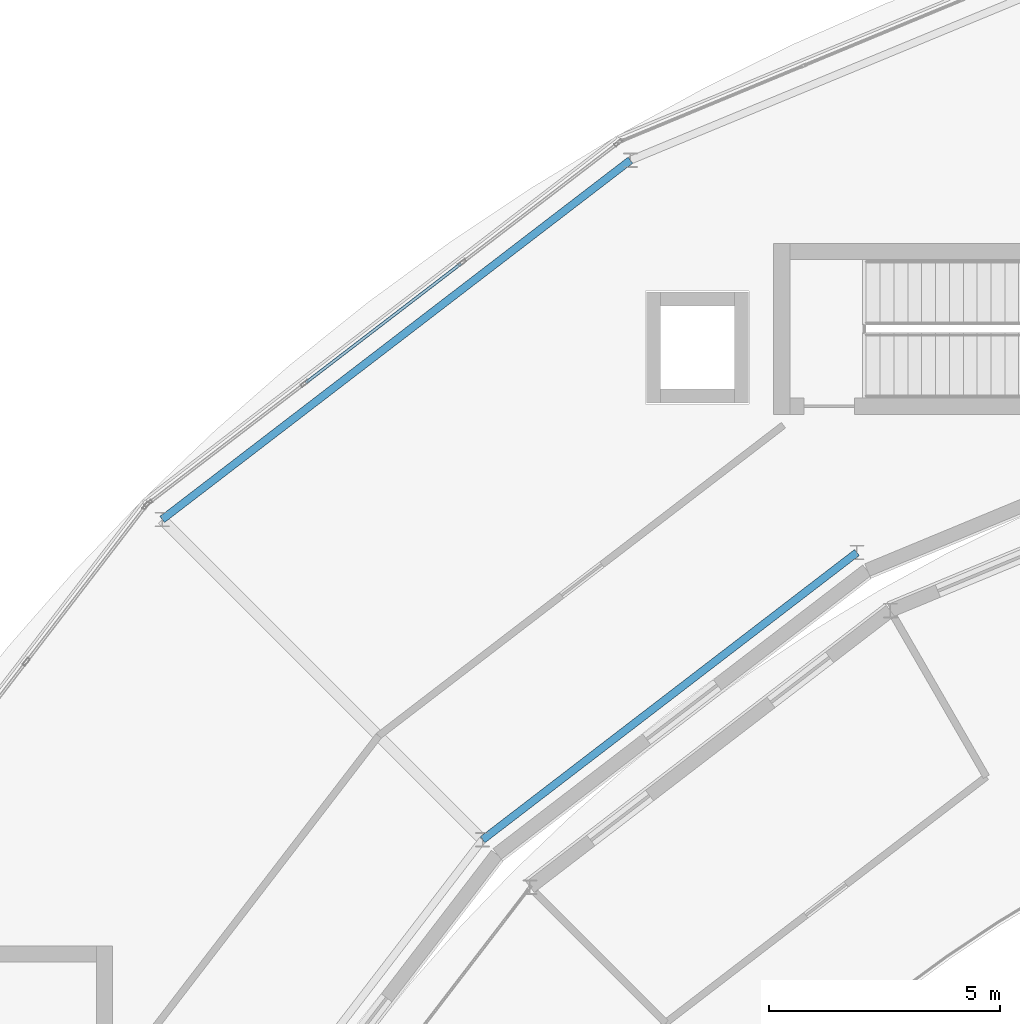
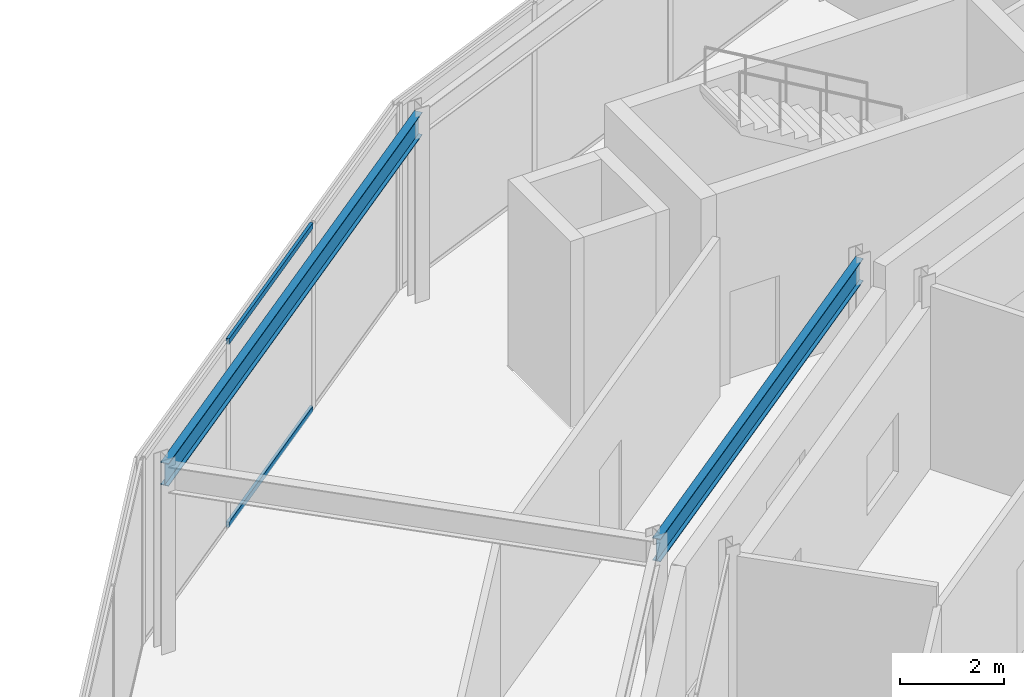
# One storey, part 40 of 116: 2 beams, 2 members, 1 element without a shape of its own.
"""IFC4 building model written with IfcOpenShell, lengths in metres."""

import ifcopenshell
import ifcopenshell.guid

model = None  # the IFC model being written
_history = None  # IfcOwnerHistory: only IFC2X3 demands one
_inside = {}  # id of a spatial element -> (the spatial element, [elements in it])
_under = {}  # id of a project, library or spatial element -> (it, [spatial elements below it])
_declared = {}  # id of a project -> (the project, [libraries it declares])
_typed = {}  # id of a type object -> (the type object, [elements of that type])
_made_of = {}  # id of a material, layer set ... -> (it, [elements and type objects made of it])


def new_model(schema):
    """Start an empty IFC model of exactly this schema.

    Asked for "IFC4X3", IfcOpenShell would pick the latest addendum, in which some entities
    have other attributes; the version numbers below select the first issue.
    IFC2X3 requires an IfcOwnerHistory on every rooted entity: one is made here for all.
    """
    global model, _history
    if schema == "IFC4X3":
        model = ifcopenshell.file(schema_version=(4, 3, 0, 0))
    else:
        model = ifcopenshell.file(schema=schema)
    _inside.clear()
    _under.clear()
    _declared.clear()
    _typed.clear()
    _made_of.clear()
    _history = None
    if model.schema == "IFC2X3":
        org = make("IfcOrganization", Name="unknown")
        user = make(
            "IfcPersonAndOrganization",
            ThePerson=make("IfcPerson", FamilyName="unknown"),
            TheOrganization=org,
        )
        app = make(
            "IfcApplication",
            ApplicationDeveloper=org,
            Version="unknown",
            ApplicationFullName="unknown",
            ApplicationIdentifier="unknown",
        )
        _history = make(
            "IfcOwnerHistory",
            OwningUser=user,
            OwningApplication=app,
            ChangeAction="ADDED",
            CreationDate=0,
        )
    return model


def make(cls, **values):
    """One entity of the class cls with the attributes given. An attribute that is None is left unset."""
    return model.create_entity(
        cls, **{name: value for name, value in values.items() if value is not None}
    )


def rooted(cls, **values):
    """An entity with a GlobalId (a new one), such as an element, a storey or a relation."""
    return make(cls, GlobalId=ifcopenshell.guid.new(), OwnerHistory=_history, **values)


def si_unit(unit_type, name, prefix=None):
    """IfcSIUnit, for example si_unit("LENGTHUNIT", "METRE", prefix="MILLI")."""
    return make("IfcSIUnit", UnitType=unit_type, Prefix=prefix, Name=name)


def assignment(units):
    """IfcUnitAssignment: the units of a project."""
    return None if units is None else make("IfcUnitAssignment", Units=units)


def point(xyz):
    """IfcCartesianPoint."""
    return None if xyz is None else make("IfcCartesianPoint", Coordinates=xyz)


def direction(xyz):
    """IfcDirection."""
    return None if xyz is None else make("IfcDirection", DirectionRatios=xyz)


def frame(location, z_axis=None, x_axis=None):
    """IfcAxis2Placement3D, a coordinate frame: its origin and axes. An axis left out is left unset."""
    return make(
        "IfcAxis2Placement3D",
        Location=point(location),
        Axis=direction(z_axis),
        RefDirection=direction(x_axis),
    )


def frame_2d(location, x_axis=None):
    """IfcAxis2Placement2D, a coordinate frame in the plane: its origin and x axis."""
    return make(
        "IfcAxis2Placement2D", Location=point(location), RefDirection=direction(x_axis)
    )


def origin():
    """The frame at (0, 0, 0) with its axes left unset."""
    return frame((0.0, 0.0, 0.0))


def origin_2d():
    """The frame at (0, 0) in the plane with its x axis left unset."""
    return frame_2d((0.0, 0.0))


def place(relative_to, where):
    """IfcLocalPlacement: puts the frame where relative to a parent placement (None: the world)."""
    return make(
        "IfcLocalPlacement", PlacementRelTo=relative_to, RelativePlacement=where
    )


def context(
    kind, dimensions, precision=None, world=None, true_north=None, identifier=None
):
    """IfcGeometricRepresentationContext, for example the 3D "Model" context."""
    return make(
        "IfcGeometricRepresentationContext",
        ContextIdentifier=identifier,
        ContextType=kind,
        CoordinateSpaceDimension=dimensions,
        Precision=precision,
        WorldCoordinateSystem=world,
        TrueNorth=true_north,
    )


def subcontext(parent, identifier, kind, view, scale=None):
    """IfcGeometricRepresentationSubContext, for example "Body" below "Model"."""
    return make(
        "IfcGeometricRepresentationSubContext",
        ContextIdentifier=identifier,
        ContextType=kind,
        ParentContext=parent,
        TargetScale=scale,
        TargetView=view,
    )


def project(units=None, contexts=None):
    """IfcProject with its units and contexts."""
    return rooted(
        "IfcProject",
        Name="project",
        RepresentationContexts=contexts,
        UnitsInContext=assignment(units),
    )


def spatial(cls, under=None, at=None, **own):
    """A site, building, storey or space (cls), placed at a placement, below another one or the project."""
    s = rooted(cls, ObjectPlacement=at, **own)
    if under is not None:
        _under.setdefault(under.id(), (under, []))[1].append(s)
    return s


def profile(cls, at=None, kind="AREA", **sizes):
    """A parametric profile (cls). Its sizes go by their IFC names, for example OverallWidth=200.0."""
    return make(cls, ProfileType=kind, Position=at, **sizes)


def hollow_rectangle(**sizes):
    """IfcRectangleHollowProfileDef."""
    return profile("IfcRectangleHollowProfileDef", **sizes)


def i_section(**sizes):
    """IfcIShapeProfileDef."""
    return profile("IfcIShapeProfileDef", **sizes)


def extrude(swept, where, along, depth):
    """IfcExtrudedAreaSolid: the profile swept, set in the frame where, extruded along a direction by depth."""
    return make(
        "IfcExtrudedAreaSolid",
        SweptArea=swept,
        Position=where,
        ExtrudedDirection=direction(along),
        Depth=depth,
    )


def shape(context_of_items, identifier, shape_type, items):
    """IfcShapeRepresentation: the items that make up one representation, for example the "Body"."""
    return make(
        "IfcShapeRepresentation",
        ContextOfItems=context_of_items,
        RepresentationIdentifier=identifier,
        RepresentationType=shape_type,
        Items=items,
    )


def material(Name=None, Category=None):
    """IfcMaterial."""
    return make("IfcMaterial", Name=Name, Category=Category)


def material_profile(
    of_material, cross_section, Name=None, Category=None, Priority=None
):
    """IfcMaterialProfile: a cross section and its material."""
    return make(
        "IfcMaterialProfile",
        Name=Name,
        Material=of_material,
        Profile=cross_section,
        Priority=Priority,
        Category=Category,
    )


def profile_set(profiles, Name=None, composite=None):
    """IfcMaterialProfileSet."""
    return make(
        "IfcMaterialProfileSet",
        Name=Name,
        MaterialProfiles=profiles,
        CompositeProfile=composite,
    )


def made_of(thing, what):
    """Note that an element or type object is made of a material, layer set ...; save() writes the relation."""
    if what is not None:
        _made_of.setdefault(what.id(), (what, []))[1].append(thing)
    return thing


def type_object(cls, material=None, **own):
    """A type object (cls), such as IfcWallType, which elements share."""
    return made_of(rooted(cls, **own), material)


def element(
    cls,
    number,
    at=None,
    inside=None,
    cuts=None,
    type_object=None,
    material=None,
    context=None,
    identifier="Body",
    shape_type=None,
    held_by="IfcProductDefinitionShape",
    body=None,
    shapes=None,
    **own,
):
    """One element of the class cls, such as IfcWall. Its Tag is "e" and its number.

    at: its placement. inside: the storey or other place that contains it. cuts: it is an
    opening in that element (IfcRelVoidsElement). A single representation is given by context,
    identifier, shape_type and body (its items); several are given by shapes. held_by: the class
    of the entity that holds the representations. save() writes the other relations.
    """
    e = rooted(cls, Tag="e%d" % number, ObjectPlacement=at, **own)
    if body is not None:
        shapes = [shape(context, identifier, shape_type, body)]
    if shapes is not None:
        e.Representation = make(held_by, Representations=shapes)
    if inside is not None:
        _inside.setdefault(inside.id(), (inside, []))[1].append(e)
    if cuts is not None:
        rooted(
            "IfcRelVoidsElement", RelatingBuildingElement=cuts, RelatedOpeningElement=e
        )
    if type_object is not None:
        _typed.setdefault(type_object.id(), (type_object, []))[1].append(e)
    return made_of(e, material)


def aggregate(whole, parts):
    """IfcRelAggregates: a whole, such as a stair, and the parts it consists of."""
    return rooted("IfcRelAggregates", RelatingObject=whole, RelatedObjects=parts)


def save(model, path):
    """Write the relations noted so far, then the file.

    IfcRelAggregates (storeys below a building ...), IfcRelContainedInSpatialStructure (elements
    in a storey), IfcRelDefinesByType, IfcRelAssociatesMaterial and IfcRelDeclares: one each for
    every whole, place, type object, material and project.
    """
    for whole, parts in _under.values():
        aggregate(whole, parts)
    for where, things in _inside.values():
        rooted(
            "IfcRelContainedInSpatialStructure",
            RelatedElements=things,
            RelatingStructure=where,
        )
    for kind, things in _typed.values():
        rooted("IfcRelDefinesByType", RelatedObjects=things, RelatingType=kind)
    for what, things in _made_of.values():
        rooted("IfcRelAssociatesMaterial", RelatedObjects=things, RelatingMaterial=what)
    for by, libraries in _declared.values():
        rooted("IfcRelDeclares", RelatingContext=by, RelatedDefinitions=libraries)
    model.write(path)


model = new_model("IFC4")

# Units and contexts
model_context = context("Model", 3, precision=1e-05, world=origin(), true_north=direction((0.0, 1.0)))
body_context = subcontext(model_context, "Body", "Model", "MODEL_VIEW")
ifc_project = project(units=[si_unit("LENGTHUNIT", "METRE"), si_unit("AREAUNIT", "SQUARE_METRE"), si_unit("VOLUMEUNIT", "CUBIC_METRE"), si_unit("PLANEANGLEUNIT", "RADIAN"), si_unit("MASSUNIT", "GRAM", prefix="KILO")], contexts=[model_context])

# Site, building, storey
site_placement = place(None, origin())
site = spatial("IfcSite", under=ifc_project, at=site_placement, CompositionType="ELEMENT")
building_placement = place(site_placement, origin())
building = spatial("IfcBuilding", under=site, at=building_placement, Name="Almandine Court Research Institute", CompositionType="ELEMENT")
storey_placement = place(building_placement, frame((0.0, 0.0, 14.35009765625)))
storey = spatial("IfcBuildingStorey", under=building, at=storey_placement, Name="L03", CompositionType="ELEMENT", Elevation=14.35009765625)

# Beams
ifc_material_1 = material(Name="Steel ASTM A992 Grade 50", Category="steel")
ifc_material_profile_1 = material_profile(ifc_material_1, i_section(OverallWidth=0.166015625, OverallDepth=0.534912109375, WebThickness=0.010009765625, FlangeThickness=0.01708984375, at=origin_2d()), Name="W530x85")
ifc_profile_set_1 = profile_set([ifc_material_profile_1], Name="Steel ASTM A992 Grade 50")
beam_type = type_object("IfcBeamType", Name="Beam-G-05-E", PredefinedType="SPANDREL", material=ifc_profile_set_1)
beam_1_placement = place(storey_placement, frame((67.449951171875, 89.862060546875, 4.102783203125), z_axis=(-0.793335653042, -0.608784478787, 0.0), x_axis=(0.608784478787, -0.793335653042, 0.0)))
element("IfcBeam", 1, at=beam_1_placement, inside=storey, type_object=beam_type, Name="L03 Drum IN Ring Beam 08", PredefinedType="SPANDREL", context=body_context, shape_type="SweptSolid", body=[
    extrude(i_section(OverallWidth=0.166015625, OverallDepth=0.534912109375, WebThickness=0.010009765625, FlangeThickness=0.01708984375, at=origin_2d()), origin(), (0.0, 0.0, 1.0), 10.20751953125),
])
beam_2_placement = place(storey_placement, frame((62.550048828125, 98.34912109375, 4.102783203125), z_axis=(-0.793360662587, -0.608751886289, 0.0), x_axis=(0.608751886289, -0.793360662587, 0.0)))
element("IfcBeam", 2, at=beam_2_placement, inside=storey, type_object=beam_type, Name="L03 Drum OUT Ring Beam 08", PredefinedType="SPANDREL", context=body_context, shape_type="SweptSolid", body=[
    extrude(i_section(OverallWidth=0.166015625, OverallDepth=0.534912109375, WebThickness=0.010009765625, FlangeThickness=0.01708984375, at=origin_2d()), origin(), (0.0, 0.0, 1.0), 12.765869140625),
])

# Curtain wall, members
ifc_material_2 = material(Name="Unitised Curtain Wall Framing and Solar Glazing", Category="glass")
curtain_wall_type = type_object("IfcCurtainWallType", Name="CW-CWJ-19", PredefinedType="USERDEFINED", material=ifc_material_2)
curtain_wall_placement = place(storey_placement, origin())
curtain_wall = element("IfcCurtainWall", 3, at=curtain_wall_placement, inside=storey, type_object=curtain_wall_type, Name="L03 Stacked-Ring Drum Outer Solar Jali Screen 08", ObjectType="SOLAR JALI SCREEN", PredefinedType="USERDEFINED")
ifc_material_3 = material(Name="Anodised Aluminium AW-6063-T6", Category="aluminium")
ifc_material_profile_2 = material_profile(ifc_material_3, hollow_rectangle(XDim=0.06494140625, YDim=0.1298828125, WallThickness=0.00390625, at=origin_2d()), Name="ALU RHS 65x130x4")
ifc_profile_set_2 = profile_set([ifc_material_profile_2], Name="Anodised Aluminium AW-6063-T6")
member_type = type_object("IfcMemberType", Name="CWTrn-65x130", PredefinedType="NOTDEFINED", material=ifc_profile_set_2)
member_1_placement = place(storey_placement, frame((55.531494140625, 93.538818359375, 0.032470703125), z_axis=(0.793368349931, 0.608741867566, 0.0), x_axis=(-0.608741867566, 0.793368349931, 0.0)))
member_1 = element("IfcMember", 4, at=member_1_placement, type_object=member_type, Name="CWJ-19 transom 2.1", ObjectType="TRANSOM", PredefinedType="USERDEFINED", context=body_context, shape_type="SweptSolid", body=[
    extrude(hollow_rectangle(XDim=0.06494140625, YDim=0.1298828125, WallThickness=0.00390625, at=origin_2d()), origin(), (0.0, 0.0, 1.0), 4.2275390625),
])
member_2_placement = place(storey_placement, frame((55.531494140625, 93.538818359375, 4.33740234375), z_axis=(0.793368349931, 0.608741867566, 0.0), x_axis=(-0.608741867566, 0.793368349931, 0.0)))
member_2 = element("IfcMember", 5, at=member_2_placement, type_object=member_type, Name="CWJ-19 transom 2.2", ObjectType="TRANSOM", PredefinedType="USERDEFINED", context=body_context, shape_type="SweptSolid", body=[
    extrude(hollow_rectangle(XDim=0.06494140625, YDim=0.1298828125, WallThickness=0.00390625, at=origin_2d()), origin(), (0.0, 0.0, 1.0), 4.2275390625),
])
aggregate(curtain_wall, [member_1, member_2])

save(model, "model.ifc")
